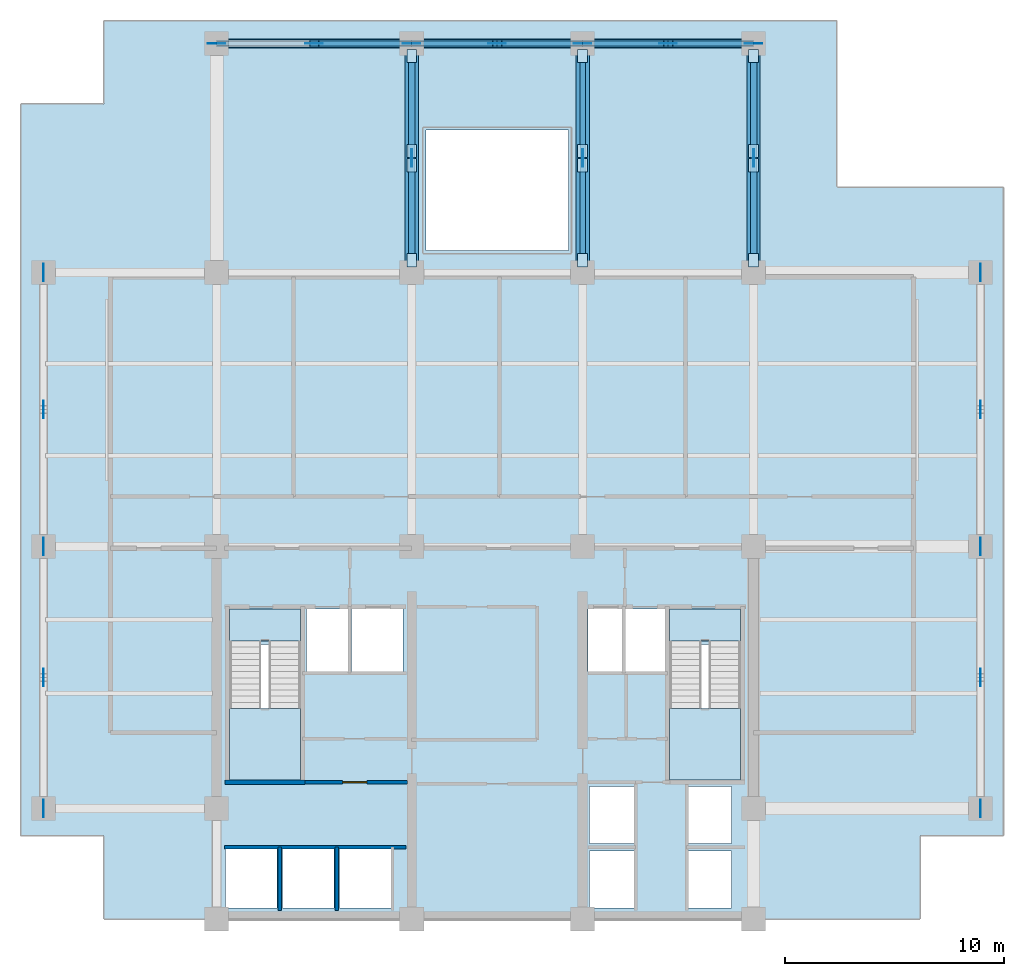
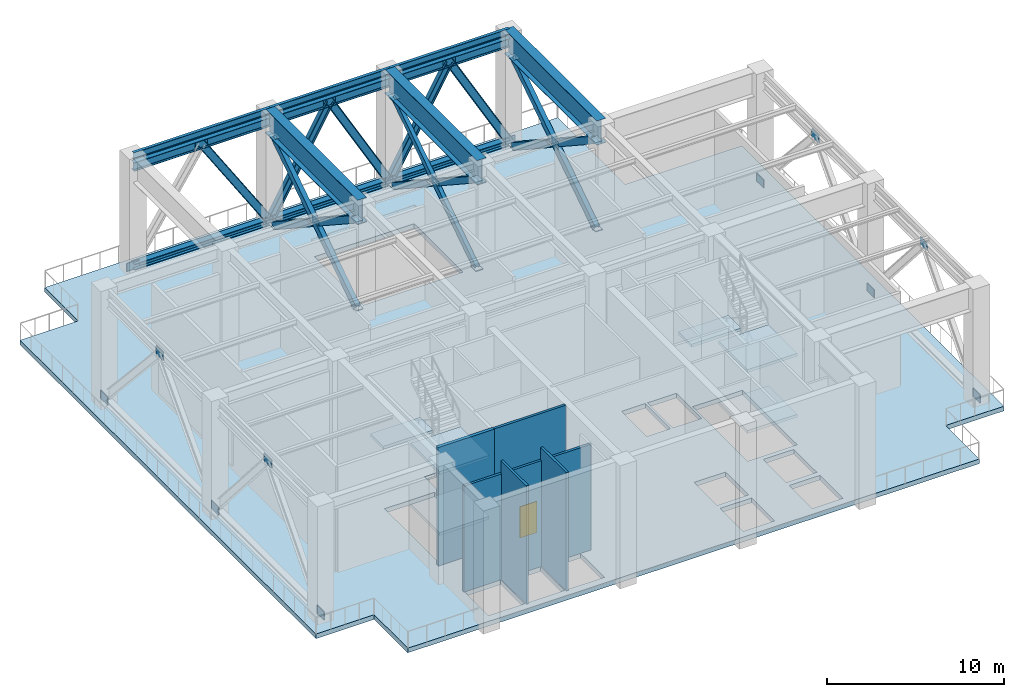
# One storey, part 2 of 7: 38 plates, 20 members, 7 slabs, 6 beams, 5 walls, 1 door, 1 opening, 2 elements without a shape of their own.
"""IFC4 building model written with IfcOpenShell, lengths in metres."""

from ifc_helpers import new_model, si_unit, direction, frame, frame_2d, origin, origin_2d, place, context, subcontext, project, spatial, polyline, rectangle, hollow_rectangle, i_section, outline, extrude, material, layer, layer_set, material_profile, profile_set, type_object, element, fill, aggregate, save


model = new_model("IFC4")

# Units and contexts
model_context = context("Model", 3, precision=1e-05, world=origin(), true_north=direction((0.0, 1.0)))
body_context = subcontext(model_context, "Body", "Model", "MODEL_VIEW")
ifc_project = project(units=[si_unit("LENGTHUNIT", "METRE"), si_unit("AREAUNIT", "SQUARE_METRE"), si_unit("VOLUMEUNIT", "CUBIC_METRE"), si_unit("PLANEANGLEUNIT", "RADIAN"), si_unit("MASSUNIT", "GRAM", prefix="KILO")], contexts=[model_context])

# Site, building, storey
site_placement = place(None, origin())
site = spatial("IfcSite", under=ifc_project, at=site_placement, CompositionType="ELEMENT")
building_placement = place(site_placement, origin())
building = spatial("IfcBuilding", under=site, at=building_placement, Name="Qalmaran Belvedere Hotel", CompositionType="ELEMENT")
storey_placement = place(building_placement, frame((0.0, 0.0, 184.10009765625)))
storey = spatial("IfcBuildingStorey", under=building, at=storey_placement, Name="L47", CompositionType="ELEMENT", Elevation=184.10009765625)

# Beams
ifc_material_1 = material(Name="Steel S355JR", Category="steel")
ifc_material_profile_1 = material_profile(ifc_material_1, i_section(OverallWidth=0.19189453125, OverallDepth=0.462890625, WebThickness=0.010498046875, FlangeThickness=0.017578125, FilletRadius=0.01611328125, at=origin_2d()), Name="W460X89")
ifc_profile_set_1 = profile_set([ifc_material_profile_1], Name="Steel S355JR")
beam_type_1 = type_object("IfcBeamType", Name="BM-SP2-W460X89", PredefinedType="SPANDREL", material=ifc_profile_set_1)
beam_placement = place(storey_placement, frame((20.300048828125, 43.449951171875, 7.928466796875), z_axis=(1.0, 0.0, 0.0), x_axis=(0.0, 1.0, 0.0)))
element("IfcBeam", 1, at=beam_placement, inside=storey, type_object=beam_type_1, Name="L47 Perimeter Spandrel 05", PredefinedType="SPANDREL", context=body_context, shape_type="SweptSolid", body=[
    extrude(i_section(OverallWidth=0.19189453125, OverallDepth=0.462890625, WebThickness=0.010498046875, FlangeThickness=0.017578125, FilletRadius=0.01611328125, at=origin_2d()), origin(), (0.0, 0.0, 1.0), 8.89990234375),
])
for number, where, z_axis, x_axis, name in (
    (2, (29.199951171875, 43.449951171875, 7.928466796875), (1.0, 0.0, 0.0), (0.0, 1.0, 0.0), "L47 Perimeter Spandrel 06"),
    (3, (37.0, 43.449951171875, 7.928466796875), (1.0, 0.0, 0.0), (0.0, 1.0, 0.0), "L47 Perimeter Spandrel 07"),
):
    element("IfcBeam", number, at=place(storey_placement, frame(where, z_axis=z_axis, x_axis=x_axis)), inside=storey, type_object=beam_type_1, Name=name, PredefinedType="SPANDREL", context=body_context, shape_type="SweptSolid", body=[
        extrude(i_section(OverallWidth=0.19189453125, OverallDepth=0.462890625, WebThickness=0.010498046875, FlangeThickness=0.017578125, FilletRadius=0.01611328125, at=origin_2d()), origin(), (0.0, 0.0, 1.0), 7.800048828125),
    ])
ifc_material_profile_2 = material_profile(ifc_material_1, i_section(OverallWidth=0.60009765625, OverallDepth=1.679931640625, WebThickness=0.02587890625, FlangeThickness=0.035888671875, at=origin_2d()), Name="PG1680X600X36")
ifc_profile_set_2 = profile_set([ifc_material_profile_2], Name="Steel S355JR")
beam_type_2 = type_object("IfcBeamType", Name="BM-TG5-PG1680X600", PredefinedType="USERDEFINED", material=ifc_profile_set_2)
for number, where, z_axis, x_axis, name in (
    (4, (29.199951171875, 33.0, 7.31982421875), (0.0, 1.0, 0.0), (-1.0, 0.0, 0.0), "L47 North Bay Setback Transfer Girder 17"),
    (5, (37.0, 33.0, 7.31982421875), (0.0, 1.0, 0.0), (-1.0, 0.0, 0.0), "L47 North Bay Setback Transfer Girder 19"),
    (6, (44.800048828125, 33.0, 7.31982421875), (0.0, 1.0, 0.0), (-1.0, 0.0, 0.0), "L47 North Bay Setback Transfer Girder 21"),
):
    element("IfcBeam", number, at=place(storey_placement, frame(where, z_axis=z_axis, x_axis=x_axis)), inside=storey, type_object=beam_type_2, Name=name, ObjectType="GIRDER", PredefinedType="USERDEFINED", context=body_context, shape_type="SweptSolid", body=[
        extrude(i_section(OverallWidth=0.60009765625, OverallDepth=1.679931640625, WebThickness=0.02587890625, FlangeThickness=0.035888671875, at=origin_2d()), origin(), (0.0, 0.0, 1.0), 10.449951171875),
    ])

# Members
ifc_material_profile_3 = material_profile(ifc_material_1, i_section(OverallWidth=0.300048828125, OverallDepth=0.5, WebThickness=0.014404296875, FlangeThickness=0.028076171875, FilletRadius=0.027099609375, at=origin_2d()), Name="HEB500")
ifc_profile_set_3 = profile_set([ifc_material_profile_3], Name="Steel S355JR")
member_type_1 = type_object("IfcMemberType", Name="MEM-BR3-HEB500", PredefinedType="BRACE", material=ifc_profile_set_3)
member_1_placement = place(storey_placement, frame((29.199951171875, 43.449951171875, 0.349853515625), z_axis=(-0.544204168445, 0.0, 0.838952813361), x_axis=(0.0, -1.0, 0.0)))
element("IfcMember", 7, at=member_1_placement, inside=storey, type_object=member_type_1, Name="L47 Belt Truss Diagonal 05B", PredefinedType="BRACE", context=body_context, shape_type="SweptSolid", body=[
    extrude(i_section(OverallWidth=0.300048828125, OverallDepth=0.5, WebThickness=0.014404296875, FlangeThickness=0.028076171875, FilletRadius=0.027099609375, at=origin_2d()), origin(), (0.0, 0.0, 1.0), 8.177001953125),
])
member_2_placement = place(storey_placement, frame((29.199951171875, 43.449951171875, 0.349853515625), z_axis=(0.494235295454, 0.0, 0.869328173205), x_axis=(0.0, 1.0, 0.0)))
element("IfcMember", 8, at=member_2_placement, inside=storey, type_object=member_type_1, Name="L47 Belt Truss Diagonal 06A", PredefinedType="BRACE", context=body_context, shape_type="SweptSolid", body=[
    extrude(i_section(OverallWidth=0.300048828125, OverallDepth=0.5, WebThickness=0.014404296875, FlangeThickness=0.028076171875, FilletRadius=0.027099609375, at=origin_2d()), origin(), (0.0, 0.0, 1.0), 7.891357421875),
])
for number, where, z_axis, x_axis, name in (
    (9, (37.0, 43.449951171875, 0.349853515625), (-0.494211914062, 0.0, 0.869341465708), (0.0, -1.0, 0.0), "L47 Belt Truss Diagonal 06B"),
    (10, (37.0, 43.449951171875, 0.349853515625), (0.494211914062, 0.0, 0.869341465708), (0.0, 1.0, 0.0), "L47 Belt Truss Diagonal 07A"),
):
    element("IfcMember", number, at=place(storey_placement, frame(where, z_axis=z_axis, x_axis=x_axis)), inside=storey, type_object=member_type_1, Name=name, PredefinedType="BRACE", context=body_context, shape_type="SweptSolid", body=[
        extrude(i_section(OverallWidth=0.300048828125, OverallDepth=0.5, WebThickness=0.014404296875, FlangeThickness=0.028076171875, FilletRadius=0.027099609375, at=origin_2d()), origin(), (0.0, 0.0, 1.0), 7.89111328125),
    ])
member_3_placement = place(storey_placement, frame((44.800048828125, 43.449951171875, 0.349853515625), z_axis=(-0.494235295454, 0.0, 0.869328173205), x_axis=(0.0, -1.0, 0.0)))
element("IfcMember", 11, at=member_3_placement, inside=storey, type_object=member_type_1, Name="L47 Belt Truss Diagonal 07B", PredefinedType="BRACE", context=body_context, shape_type="SweptSolid", body=[
    extrude(i_section(OverallWidth=0.300048828125, OverallDepth=0.5, WebThickness=0.014404296875, FlangeThickness=0.028076171875, FilletRadius=0.027099609375, at=origin_2d()), origin(), (0.0, 0.0, 1.0), 7.891357421875),
])
ifc_material_profile_4 = material_profile(ifc_material_1, hollow_rectangle(XDim=0.300048828125, YDim=0.449951171875, WallThickness=0.02001953125, at=origin_2d()), Name="RHS450X300X20")
ifc_profile_set_4 = profile_set([ifc_material_profile_4], Name="Steel S355JR")
member_type_2 = type_object("IfcMemberType", Name="MEM-BR4-RHS450", PredefinedType="BRACE", material=ifc_profile_set_4)
member_4_placement = place(storey_placement, frame((29.199951171875, 33.56494140625, 0.349853515625), z_axis=(0.0, 0.836302496095, 0.548268305691), x_axis=(-1.0, 0.0, 0.0)))
element("IfcMember", 12, at=member_4_placement, inside=storey, type_object=member_type_2, Name="L47 Wind-Slot Portal Outrigger Brace W1", PredefinedType="BRACE", context=body_context, shape_type="SweptSolid", body=[
    extrude(hollow_rectangle(XDim=0.300048828125, YDim=0.449951171875, WallThickness=0.02001953125, at=origin_2d()), origin(), (0.0, 0.0, 1.0), 11.144287109375),
])
for number, where, z_axis, x_axis, name in (
    (13, (29.199951171875, 42.885009765625, 0.349853515625), (0.0, -0.836287572314, 0.548291069044), (1.0, 0.0, 0.0), "L47 Wind-Slot Portal Outrigger Split Brace W2A"),
    (14, (29.199951171875, 37.898681640625, 3.61865234375), (0.0, -0.836287572314, 0.548291069044), (1.0, 0.0, 0.0), "L47 Wind-Slot Portal Outrigger Split Brace W2B"),
):
    element("IfcMember", number, at=place(storey_placement, frame(where, z_axis=z_axis, x_axis=x_axis)), inside=storey, type_object=member_type_2, Name=name, PredefinedType="BRACE", context=body_context, shape_type="SweptSolid", body=[
        extrude(hollow_rectangle(XDim=0.300048828125, YDim=0.449951171875, WallThickness=0.02001953125, at=origin_2d()), origin(), (0.0, 0.0, 1.0), 5.18212890625),
    ])
member_5_placement = place(storey_placement, frame((44.800048828125, 33.56494140625, 0.349853515625), z_axis=(0.0, 0.836302496095, 0.548268305691), x_axis=(-1.0, 0.0, 0.0)))
element("IfcMember", 15, at=member_5_placement, inside=storey, type_object=member_type_2, Name="L47 Wind-Slot Portal Outrigger Brace E1", PredefinedType="BRACE", context=body_context, shape_type="SweptSolid", body=[
    extrude(hollow_rectangle(XDim=0.300048828125, YDim=0.449951171875, WallThickness=0.02001953125, at=origin_2d()), origin(), (0.0, 0.0, 1.0), 11.144287109375),
])
for number, where, z_axis, x_axis, name in (
    (16, (44.800048828125, 42.885009765625, 0.349853515625), (0.0, -0.836287572314, 0.548291069044), (1.0, 0.0, 0.0), "L47 Wind-Slot Portal Outrigger Split Brace E2A"),
    (17, (44.800048828125, 37.898681640625, 3.61865234375), (0.0, -0.836287572314, 0.548291069044), (1.0, 0.0, 0.0), "L47 Wind-Slot Portal Outrigger Split Brace E2B"),
):
    element("IfcMember", number, at=place(storey_placement, frame(where, z_axis=z_axis, x_axis=x_axis)), inside=storey, type_object=member_type_2, Name=name, PredefinedType="BRACE", context=body_context, shape_type="SweptSolid", body=[
        extrude(hollow_rectangle(XDim=0.300048828125, YDim=0.449951171875, WallThickness=0.02001953125, at=origin_2d()), origin(), (0.0, 0.0, 1.0), 5.18212890625),
    ])
ifc_material_profile_5 = material_profile(ifc_material_1, hollow_rectangle(XDim=0.25, YDim=0.39990234375, WallThickness=0.01611328125, at=origin_2d()), Name="RHS400X250X16")
ifc_profile_set_5 = profile_set([ifc_material_profile_5], Name="Steel S355JR")
member_type_3 = type_object("IfcMemberType", Name="MEM-BR5-RHS400", PredefinedType="BRACE", material=ifc_profile_set_5)
member_6_placement = place(storey_placement, frame((37.0, 33.56494140625, 0.349853515625), z_axis=(0.0, 0.836302496095, 0.548268305691), x_axis=(-1.0, 0.0, 0.0)))
element("IfcMember", 18, at=member_6_placement, inside=storey, type_object=member_type_3, Name="L47 Wind-Slot Portal Outrigger Brace M1", PredefinedType="BRACE", context=body_context, shape_type="SweptSolid", body=[
    extrude(hollow_rectangle(XDim=0.25, YDim=0.39990234375, WallThickness=0.01611328125, at=origin_2d()), origin(), (0.0, 0.0, 1.0), 11.144287109375),
])
for number, where, z_axis, x_axis, name in (
    (19, (37.0, 42.885009765625, 0.349853515625), (0.0, -0.836287572314, 0.548291069044), (1.0, 0.0, 0.0), "L47 Wind-Slot Portal Outrigger Split Brace M2A"),
    (20, (37.0, 37.898681640625, 3.61865234375), (0.0, -0.836287572314, 0.548291069044), (1.0, 0.0, 0.0), "L47 Wind-Slot Portal Outrigger Split Brace M2B"),
):
    element("IfcMember", number, at=place(storey_placement, frame(where, z_axis=z_axis, x_axis=x_axis)), inside=storey, type_object=member_type_3, Name=name, PredefinedType="BRACE", context=body_context, shape_type="SweptSolid", body=[
        extrude(hollow_rectangle(XDim=0.25, YDim=0.39990234375, WallThickness=0.01611328125, at=origin_2d()), origin(), (0.0, 0.0, 1.0), 5.18212890625),
    ])
ifc_material_profile_6 = material_profile(ifc_material_1, i_section(OverallWidth=0.40087890625, OverallDepth=0.39892578125, WebThickness=0.02490234375, FlangeThickness=0.03955078125, FilletRadius=0.014892578125, at=origin_2d()), Name="HD400X314")
ifc_profile_set_6 = profile_set([ifc_material_profile_6], Name="Steel S355JR")
member_type_4 = type_object("IfcMemberType", Name="MEM-CH1-HD400X314", PredefinedType="CHORD", material=ifc_profile_set_6)
member_7_placement = place(storey_placement, frame((20.300048828125, 43.449951171875, 0.349853515625), z_axis=(1.0, 0.0, 0.0), x_axis=(0.0, 1.0, 0.0)))
element("IfcMember", 21, at=member_7_placement, inside=storey, type_object=member_type_4, Name="L47 Belt Truss Bottom Chord 05", PredefinedType="CHORD", context=body_context, shape_type="SweptSolid", body=[
    extrude(i_section(OverallWidth=0.40087890625, OverallDepth=0.39892578125, WebThickness=0.02490234375, FlangeThickness=0.03955078125, FilletRadius=0.014892578125, at=origin_2d()), origin(), (0.0, 0.0, 1.0), 8.89990234375),
])
for number, where, z_axis, x_axis, name in (
    (22, (29.199951171875, 43.449951171875, 0.349853515625), (1.0, 0.0, 0.0), (0.0, 1.0, 0.0), "L47 Belt Truss Bottom Chord 06"),
    (23, (37.0, 43.449951171875, 0.349853515625), (1.0, 0.0, 0.0), (0.0, 1.0, 0.0), "L47 Belt Truss Bottom Chord 07"),
):
    element("IfcMember", number, at=place(storey_placement, frame(where, z_axis=z_axis, x_axis=x_axis)), inside=storey, type_object=member_type_4, Name=name, PredefinedType="CHORD", context=body_context, shape_type="SweptSolid", body=[
        extrude(i_section(OverallWidth=0.40087890625, OverallDepth=0.39892578125, WebThickness=0.02490234375, FlangeThickness=0.03955078125, FilletRadius=0.014892578125, at=origin_2d()), origin(), (0.0, 0.0, 1.0), 7.800048828125),
    ])
ifc_material_profile_7 = material_profile(ifc_material_1, i_section(OverallWidth=0.300048828125, OverallDepth=0.60009765625, WebThickness=0.015380859375, FlangeThickness=0.028076171875, FilletRadius=0.027099609375, at=origin_2d()), Name="HEB600")
ifc_profile_set_7 = profile_set([ifc_material_profile_7], Name="Steel S355JR")
member_type_5 = type_object("IfcMemberType", Name="MEM-CH2-HEB600", PredefinedType="CHORD", material=ifc_profile_set_7)
member_8_placement = place(storey_placement, frame((20.300048828125, 43.449951171875, 7.2099609375), z_axis=(1.0, 0.0, 0.0), x_axis=(0.0, 1.0, 0.0)))
element("IfcMember", 24, at=member_8_placement, inside=storey, type_object=member_type_5, Name="L47 Belt Truss Top Chord 05", PredefinedType="CHORD", context=body_context, shape_type="SweptSolid", body=[
    extrude(i_section(OverallWidth=0.300048828125, OverallDepth=0.60009765625, WebThickness=0.015380859375, FlangeThickness=0.028076171875, FilletRadius=0.027099609375, at=origin_2d()), origin(), (0.0, 0.0, 1.0), 8.89990234375),
])
for number, where, z_axis, x_axis, name in (
    (25, (29.199951171875, 43.449951171875, 7.2099609375), (1.0, 0.0, 0.0), (0.0, 1.0, 0.0), "L47 Belt Truss Top Chord 06"),
    (26, (37.0, 43.449951171875, 7.2099609375), (1.0, 0.0, 0.0), (0.0, 1.0, 0.0), "L47 Belt Truss Top Chord 07"),
):
    element("IfcMember", number, at=place(storey_placement, frame(where, z_axis=z_axis, x_axis=x_axis)), inside=storey, type_object=member_type_5, Name=name, PredefinedType="CHORD", context=body_context, shape_type="SweptSolid", body=[
        extrude(i_section(OverallWidth=0.300048828125, OverallDepth=0.60009765625, WebThickness=0.015380859375, FlangeThickness=0.028076171875, FilletRadius=0.027099609375, at=origin_2d()), origin(), (0.0, 0.0, 1.0), 7.800048828125),
    ])

# Plates
ifc_layer_1 = layer(ifc_material_1, 0.030029296875, Name="Steel S355JR")
ifc_layer_set_1 = layer_set([ifc_layer_1], Name="Steel S355JR")
plate_type_1 = type_object("IfcPlateType", Name="PLT-CAP1-600X450X30", PredefinedType="SHEET", material=ifc_layer_set_1)
for number, where, z_axis, x_axis, name in (
    (27, (29.199951171875, 33.56494140625, 0.3349609375), (0.0, 0.0, 1.0), (0.0, 1.0, 0.0), "L47 Hollow End Cap Plate 0049A"),
    (28, (29.199951171875, 42.885009765625, 6.44482421875), (0.0, 0.0, 1.0), (0.0, 1.0, 0.0), "L47 Hollow End Cap Plate 0050B"),
    (29, (29.199951171875, 42.885009765625, 0.3349609375), (0.0, 0.0, 1.0), (0.0, -1.0, 0.0), "L47 Hollow End Cap Plate 0051A"),
    (30, (29.199951171875, 38.55126953125, 3.17626953125), (0.0, 0.0, 1.0), (0.0, -1.0, 0.0), "L47 Hollow End Cap Plate 0052B"),
    (31, (29.199951171875, 37.898681640625, 3.603515625), (0.0, 0.0, 1.0), (0.0, -1.0, 0.0), "L47 Hollow End Cap Plate 0053A"),
    (32, (29.199951171875, 33.56494140625, 6.44482421875), (0.0, 0.0, 1.0), (0.0, -1.0, 0.0), "L47 Hollow End Cap Plate 0054B"),
    (33, (37.0, 33.56494140625, 0.3349609375), (0.0, 0.0, 1.0), (0.0, 1.0, 0.0), "L47 Hollow End Cap Plate 0055A"),
    (34, (37.0, 42.885009765625, 6.44482421875), (0.0, 0.0, 1.0), (0.0, 1.0, 0.0), "L47 Hollow End Cap Plate 0056B"),
    (35, (37.0, 42.885009765625, 0.3349609375), (0.0, 0.0, 1.0), (0.0, -1.0, 0.0), "L47 Hollow End Cap Plate 0057A"),
    (36, (37.0, 38.55126953125, 3.17626953125), (0.0, 0.0, 1.0), (0.0, -1.0, 0.0), "L47 Hollow End Cap Plate 0058B"),
    (37, (37.0, 37.898681640625, 3.603515625), (0.0, 0.0, 1.0), (0.0, -1.0, 0.0), "L47 Hollow End Cap Plate 0059A"),
    (38, (37.0, 33.56494140625, 6.44482421875), (0.0, 0.0, 1.0), (0.0, -1.0, 0.0), "L47 Hollow End Cap Plate 0060B"),
    (39, (44.800048828125, 33.56494140625, 0.3349609375), (0.0, 0.0, 1.0), (0.0, 1.0, 0.0), "L47 Hollow End Cap Plate 0061A"),
    (40, (44.800048828125, 42.885009765625, 6.44482421875), (0.0, 0.0, 1.0), (0.0, 1.0, 0.0), "L47 Hollow End Cap Plate 0062B"),
    (41, (44.800048828125, 42.885009765625, 0.3349609375), (0.0, 0.0, 1.0), (0.0, -1.0, 0.0), "L47 Hollow End Cap Plate 0063A"),
    (42, (44.800048828125, 38.55126953125, 3.17626953125), (0.0, 0.0, 1.0), (0.0, -1.0, 0.0), "L47 Hollow End Cap Plate 0064B"),
    (43, (44.800048828125, 37.898681640625, 3.603515625), (0.0, 0.0, 1.0), (0.0, -1.0, 0.0), "L47 Hollow End Cap Plate 0065A"),
    (44, (44.800048828125, 33.56494140625, 6.44482421875), (0.0, 0.0, 1.0), (0.0, -1.0, 0.0), "L47 Hollow End Cap Plate 0066B"),
):
    element("IfcPlate", number, at=place(storey_placement, frame(where, z_axis=z_axis, x_axis=x_axis)), inside=storey, type_object=plate_type_1, Name=name, PredefinedType="SHEET", context=body_context, shape_type="SweptSolid", body=[
        extrude(rectangle(XDim=0.60009765625, YDim=0.449951171875, at=origin_2d()), origin(), (0.0, 0.0, 1.0), 0.030029296875),
    ])
ifc_layer_2 = layer(ifc_material_1, 0.034912109375, Name="Steel S355JR")
ifc_layer_set_2 = layer_set([ifc_layer_2], Name="Steel S355JR")
plate_type_2 = type_object("IfcPlateType", Name="PLT-GUS1-800X550X35", PredefinedType="SHEET", material=ifc_layer_set_2)
for number, where, z_axis, x_axis, name in (
    (45, (12.39990234375, 14.52490234375, 6.93505859375), (0.0, 0.0, 1.0), (0.0, 1.0, 0.0), "L47 Belt Truss Apex Gusset Plate 01"),
    (46, (12.39990234375, 8.550048828125, 0.07470703125), (0.0, 0.0, 1.0), (0.0, 1.0, 0.0), "L47 Belt Truss Base Gusset Plate 01"),
    (47, (12.39990234375, 20.5, 0.07470703125), (0.0, 0.0, 1.0), (0.0, 1.0, 0.0), "L47 Belt Truss Base Gusset Plate 02"),
    (48, (12.39990234375, 26.75, 6.93505859375), (0.0, 0.0, 1.0), (0.0, 1.0, 0.0), "L47 Belt Truss Apex Gusset Plate 02"),
    (49, (12.39990234375, 33.0, 0.07470703125), (0.0, 0.0, 1.0), (0.0, 1.0, 0.0), "L47 Belt Truss Base Gusset Plate 03"),
    (50, (55.14990234375, 14.52490234375, 6.93505859375), (0.0, 0.0, 1.0), (0.0, 1.0, 0.0), "L47 Belt Truss Apex Gusset Plate 03"),
    (51, (55.14990234375, 8.550048828125, 0.07470703125), (0.0, 0.0, 1.0), (0.0, 1.0, 0.0), "L47 Belt Truss Base Gusset Plate 04"),
    (52, (55.14990234375, 20.5, 0.07470703125), (0.0, 0.0, 1.0), (0.0, 1.0, 0.0), "L47 Belt Truss Base Gusset Plate 05"),
    (53, (55.14990234375, 26.75, 6.93505859375), (0.0, 0.0, 1.0), (0.0, 1.0, 0.0), "L47 Belt Truss Apex Gusset Plate 04"),
    (54, (55.14990234375, 33.0, 0.07470703125), (0.0, 0.0, 1.0), (0.0, 1.0, 0.0), "L47 Belt Truss Base Gusset Plate 06"),
    (55, (24.75, 43.449951171875, 6.93505859375), (0.0, 0.0, 1.0), (1.0, 0.0, 0.0), "L47 Belt Truss Apex Gusset Plate 05"),
    (56, (20.300048828125, 43.449951171875, 0.07470703125), (0.0, 0.0, 1.0), (1.0, 0.0, 0.0), "L47 Belt Truss Base Gusset Plate 07"),
    (57, (29.199951171875, 43.449951171875, 0.07470703125), (0.0, 0.0, 1.0), (1.0, 0.0, 0.0), "L47 Belt Truss Base Gusset Plate 08"),
    (58, (33.10009765625, 43.449951171875, 6.93505859375), (0.0, 0.0, 1.0), (1.0, 0.0, 0.0), "L47 Belt Truss Apex Gusset Plate 06"),
    (59, (37.0, 43.449951171875, 0.07470703125), (0.0, 0.0, 1.0), (1.0, 0.0, 0.0), "L47 Belt Truss Base Gusset Plate 09"),
    (60, (40.89990234375, 43.449951171875, 6.93505859375), (0.0, 0.0, 1.0), (1.0, 0.0, 0.0), "L47 Belt Truss Apex Gusset Plate 07"),
    (61, (44.800048828125, 43.449951171875, 0.07470703125), (0.0, 0.0, 1.0), (1.0, 0.0, 0.0), "L47 Belt Truss Base Gusset Plate 10"),
    (62, (29.199951171875, 38.22509765625, 3.1298828125), (0.0, 0.0, 1.0), (0.0, 1.0, 0.0), "L47 Outrigger X-Crossing Gusset Plate W"),
    (63, (37.0, 38.22509765625, 3.1298828125), (0.0, 0.0, 1.0), (0.0, 1.0, 0.0), "L47 Outrigger X-Crossing Gusset Plate M"),
    (64, (44.800048828125, 38.22509765625, 3.1298828125), (0.0, 0.0, 1.0), (0.0, 1.0, 0.0), "L47 Outrigger X-Crossing Gusset Plate E"),
):
    element("IfcPlate", number, at=place(storey_placement, frame(where, z_axis=z_axis, x_axis=x_axis)), inside=storey, type_object=plate_type_2, Name=name, PredefinedType="SHEET", context=body_context, shape_type="SweptSolid", body=[
        extrude(rectangle(XDim=0.800048828125, YDim=0.034912109375, at=origin_2d()), origin(), (0.0, 0.0, 1.0), 0.550048828125),
    ])

# Slab
ifc_material_2 = material(Name="Concrete C40/50", Category="concrete")
ifc_layer_3 = layer(ifc_material_2, 0.320068359375, Name="Concrete C40/50")
ifc_layer_set_3 = layer_set([ifc_layer_3], Name="Concrete C40/50")
slab_type_1 = type_object("IfcSlabType", Name="SLB-PRT-320", PredefinedType="FLOOR", material=ifc_layer_set_3)
slab_1_placement = place(storey_placement, frame((0.0, 0.0, -0.320068359375)))
element("IfcSlab", 65, at=slab_1_placement, inside=storey, type_object=slab_type_1, Name="L47 Structural Floor Slab", PredefinedType="FLOOR", context=body_context, shape_type="SweptSolid", body=[
    extrude(outline(polyline([(15.14990234375, 3.5), (52.39990234375, 3.5), (52.39990234375, 7.300048828125), (56.199951171875, 7.300048828125), (56.199951171875, 36.89990234375), (48.60009765625, 36.89990234375), (48.60009765625, 44.5), (15.14990234375, 44.5), (15.14990234375, 40.699951171875), (11.35009765625, 40.699951171875), (11.35009765625, 7.300048828125), (15.14990234375, 7.300048828125), (15.14990234375, 3.5)]), holes=[polyline([(20.8798828125, 9.85009765625), (24.1201171875, 9.85009765625), (24.1201171875, 16.0400390625), (20.8798828125, 16.0400390625), (20.8798828125, 9.85009765625)]), polyline([(40.9599609375, 9.85009765625), (44.199951171875, 9.85009765625), (44.199951171875, 16.0400390625), (40.9599609375, 16.0400390625), (40.9599609375, 9.85009765625)]), polyline([(37.300048828125, 4.0), (39.35009765625, 4.0), (39.35009765625, 6.60009765625), (37.300048828125, 6.60009765625), (37.300048828125, 4.0)]), polyline([(37.300048828125, 6.949951171875), (39.35009765625, 6.949951171875), (39.35009765625, 9.550048828125), (37.300048828125, 9.550048828125), (37.300048828125, 6.949951171875)]), polyline([(41.800048828125, 4.0), (43.800048828125, 4.0), (43.800048828125, 6.60009765625), (41.800048828125, 6.60009765625), (41.800048828125, 4.0)]), polyline([(41.800048828125, 6.949951171875), (43.800048828125, 6.949951171875), (43.800048828125, 9.550048828125), (41.800048828125, 9.550048828125), (41.800048828125, 6.949951171875)]), polyline([(20.699951171875, 4.0), (23.050048828125, 4.0), (23.050048828125, 6.699951171875), (20.699951171875, 6.699951171875), (20.699951171875, 4.0)]), polyline([(23.300048828125, 4.0), (25.64990234375, 4.0), (25.64990234375, 6.699951171875), (23.300048828125, 6.699951171875), (23.300048828125, 4.0)]), polyline([(25.89990234375, 4.0), (28.25, 4.0), (28.25, 6.699951171875), (25.89990234375, 6.699951171875), (25.89990234375, 4.0)]), polyline([(24.39990234375, 14.800048828125), (26.300048828125, 14.800048828125), (26.300048828125, 17.64990234375), (24.39990234375, 17.64990234375), (24.39990234375, 14.800048828125)]), polyline([(38.949951171875, 14.800048828125), (40.820068359375, 14.800048828125), (40.820068359375, 17.64990234375), (38.949951171875, 17.64990234375), (38.949951171875, 14.800048828125)]), polyline([(26.449951171875, 14.800048828125), (28.800048828125, 14.800048828125), (28.800048828125, 17.64990234375), (26.449951171875, 17.64990234375), (26.449951171875, 14.800048828125)]), polyline([(37.25, 14.800048828125), (38.800048828125, 14.800048828125), (38.800048828125, 17.64990234375), (37.25, 17.64990234375), (37.25, 14.800048828125)]), polyline([(29.85009765625, 34.0), (36.35009765625, 34.0), (36.35009765625, 39.5), (29.85009765625, 39.5), (29.85009765625, 34.0)])]), origin(), (0.0, 0.0, 1.0), 0.320068359375),
])

# Stair, slabs
stair_type_1 = type_object("IfcStairType", Name="STR-ST-1-1450-R1750", PredefinedType="HALF_TURN_STAIR", material=ifc_material_2)
stair_1_placement = place(storey_placement, origin())
stair_1 = element("IfcStair", 66, at=stair_1_placement, inside=storey, type_object=stair_type_1, Name="L47 West Core Exit Stair ST-1", PredefinedType="HALF_TURN_STAIR")
ifc_layer_4 = layer(ifc_material_2, 0.199951171875, Name="Concrete C40/50")
ifc_layer_set_4 = layer_set([ifc_layer_4], Name="Concrete C40/50")
slab_type_2 = type_object("IfcSlabType", Name="SLB-STAIR-LANDING-200", PredefinedType="LANDING", material=ifc_layer_set_4)
slab_2_placement = place(storey_placement, frame((0.0, 0.0, 1.89990234375)))
slab_2 = element("IfcSlab", 67, at=slab_2_placement, type_object=slab_type_2, Name="ST-1 landing 1", PredefinedType="LANDING", context=body_context, shape_type="SweptSolid", body=[
    extrude(outline(polyline([(20.8798828125, 13.110107421875), (20.8798828125, 9.85009765625), (24.1201171875, 9.85009765625), (24.1201171875, 13.110107421875), (20.8798828125, 13.110107421875)])), origin(), (0.0, 0.0, 1.0), 0.199951171875),
])
slab_3_placement = place(storey_placement, frame((0.0, 0.0, 4.0)))
slab_3 = element("IfcSlab", 68, at=slab_3_placement, type_object=slab_type_2, Name="ST-1 landing 2", PredefinedType="LANDING", context=body_context, shape_type="SweptSolid", body=[
    extrude(outline(polyline([(20.8798828125, 17.64990234375), (20.8798828125, 16.18994140625), (24.1201171875, 16.18994140625), (24.1201171875, 17.64990234375), (20.8798828125, 17.64990234375)])), origin(), (0.0, 0.0, 1.0), 0.199951171875),
])
slab_4_placement = place(storey_placement, frame((0.0, 0.0, 6.099853515625)))
slab_4 = element("IfcSlab", 69, at=slab_4_placement, type_object=slab_type_2, Name="ST-1 landing 3", PredefinedType="LANDING", context=body_context, shape_type="SweptSolid", body=[
    extrude(outline(polyline([(20.8798828125, 13.110107421875), (20.8798828125, 9.85009765625), (24.1201171875, 9.85009765625), (24.1201171875, 13.110107421875), (20.8798828125, 13.110107421875)])), origin(), (0.0, 0.0, 1.0), 0.199951171875),
])
aggregate(stair_1, [slab_2, slab_3, slab_4])

stair_type_2 = type_object("IfcStairType", Name="STR-ST-2-1450-R1750", PredefinedType="HALF_TURN_STAIR", material=ifc_material_2)
stair_2_placement = place(storey_placement, origin())
stair_2 = element("IfcStair", 70, at=stair_2_placement, inside=storey, type_object=stair_type_2, Name="L47 East Core Exit Stair ST-2", PredefinedType="HALF_TURN_STAIR")
slab_5_placement = place(storey_placement, frame((0.0, 0.0, 1.89990234375)))
slab_5 = element("IfcSlab", 71, at=slab_5_placement, type_object=slab_type_2, Name="ST-2 landing 1", PredefinedType="LANDING", context=body_context, shape_type="SweptSolid", body=[
    extrude(outline(polyline([(40.9599609375, 13.110107421875), (40.9599609375, 9.85009765625), (44.199951171875, 9.85009765625), (44.199951171875, 13.110107421875), (40.9599609375, 13.110107421875)])), origin(), (0.0, 0.0, 1.0), 0.199951171875),
])
slab_6_placement = place(storey_placement, frame((0.0, 0.0, 4.0)))
slab_6 = element("IfcSlab", 72, at=slab_6_placement, type_object=slab_type_2, Name="ST-2 landing 2", PredefinedType="LANDING", context=body_context, shape_type="SweptSolid", body=[
    extrude(outline(polyline([(40.9599609375, 17.64990234375), (40.9599609375, 16.18994140625), (44.199951171875, 16.18994140625), (44.199951171875, 17.64990234375), (40.9599609375, 17.64990234375)])), origin(), (0.0, 0.0, 1.0), 0.199951171875),
])
slab_7_placement = place(storey_placement, frame((0.0, 0.0, 6.099853515625)))
slab_7 = element("IfcSlab", 73, at=slab_7_placement, type_object=slab_type_2, Name="ST-2 landing 3", PredefinedType="LANDING", context=body_context, shape_type="SweptSolid", body=[
    extrude(outline(polyline([(40.9599609375, 13.110107421875), (40.9599609375, 9.85009765625), (44.199951171875, 9.85009765625), (44.199951171875, 13.110107421875), (40.9599609375, 13.110107421875)])), origin(), (0.0, 0.0, 1.0), 0.199951171875),
])
aggregate(stair_2, [slab_5, slab_6, slab_7])

# Walls
ifc_material_3 = material(Name="Gypsum Stud Partition")
ifc_layer_5 = layer(ifc_material_3, 0.14990234375, Name="Gypsum Stud Partition")
ifc_layer_set_5 = layer_set([ifc_layer_5], Name="Gypsum Stud Partition")
wall_type_1 = type_object("IfcWallType", Name="WL-INT-150-EI120", PredefinedType="PARTITIONING", material=ifc_layer_set_5)
for number, where, z_axis, x_axis, name in (
    (74, (23.179931640625, 3.89990234375, 0.0), (0.0, 0.0, 1.0), (0.0, 1.0, 0.0), "L47 Partition WL-POM1-L47"),
    (75, (25.780029296875, 3.89990234375, 0.0), (0.0, 0.0, 1.0), (0.0, 1.0, 0.0), "L47 Partition WL-POM2-L47"),
):
    element("IfcWall", number, at=place(storey_placement, frame(where, z_axis=z_axis, x_axis=x_axis)), inside=storey, type_object=wall_type_1, Name=name, PredefinedType="PARTITIONING", context=body_context, shape_type="SweptSolid", body=[
        extrude(rectangle(XDim=2.880126953125, YDim=0.14990234375, at=frame_2d((1.43994140625, 0.0))), origin(), (0.0, 0.0, 1.0), 8.159912109375),
    ])
ifc_layer_6 = layer(ifc_material_3, 0.159912109375, Name="Gypsum Stud Partition")
ifc_layer_set_6 = layer_set([ifc_layer_6], Name="Gypsum Stud Partition")
wall_type_2 = type_object("IfcWallType", Name="WL-INT-160-EI120", PredefinedType="PARTITIONING", material=ifc_layer_set_6)
wall_1_placement = place(storey_placement, frame((20.64990234375, 6.780029296875, 0.0), z_axis=(0.0, 0.0, 1.0), x_axis=(1.0, 0.0, 0.0)))
element("IfcWall", 76, at=wall_1_placement, inside=storey, type_object=wall_type_2, Name="L47 Partition WL-POS-L47", PredefinedType="PARTITIONING", context=body_context, shape_type="SweptSolid", body=[
    extrude(rectangle(XDim=8.300048828125, YDim=0.159912109375, at=frame_2d((4.14990234375, 0.0))), origin(), (0.0, 0.0, 1.0), 7.289794921875),
])

# Wall, opening, door
wall_2_placement = place(storey_placement, frame((24.199951171875, 9.739990234375, 0.0), z_axis=(0.0, 0.0, 1.0), x_axis=(1.0, 0.0, 0.0)))
wall_2 = element("IfcWall", 77, at=wall_2_placement, inside=storey, type_object=wall_type_2, Name="L47 Partition WL-PON-L47", PredefinedType="PARTITIONING", context=body_context, shape_type="SweptSolid", body=[
    extrude(rectangle(XDim=4.800048828125, YDim=0.159912109375, at=frame_2d((2.39990234375, 0.0))), origin(), (0.0, 0.0, 1.0), 8.159912109375),
])
opening_placement = place(wall_2_placement, frame((1.85009765625, 0.0, 0.0)))
opening = element("IfcOpeningElement", 78, at=opening_placement, cuts=wall_2, Name="Opening FD90", PredefinedType="OPENING", context=body_context, shape_type="SweptSolid", body=[
    extrude(rectangle(XDim=1.10009765625, YDim=2.14990234375, at=frame_2d((0.550048828125, 1.074951171875))), frame((0.0, 0.08984375, 0.0), z_axis=(0.0, -1.0, 0.0), x_axis=(1.0, 0.0, 0.0)), (0.0, 0.0, 1.0), 0.179931640625),
])
door_type = type_object("IfcDoorType", Name="DR-FD90-1100X2150", OperationType="NOTDEFINED", PredefinedType="DOOR", material=ifc_material_1)
door_placement = place(opening_placement, origin())
door = element("IfcDoor", 79, at=door_placement, inside=storey, type_object=door_type, Name="L47 Shuttle Lobby Passage Door", OperationType="SINGLE_SWING_RIGHT", OverallHeight=2.14990234375, OverallWidth=1.10009765625, PredefinedType="DOOR", context=body_context, shape_type="SweptSolid", body=[
    extrude(rectangle(XDim=1.10009765625, YDim=2.14990234375, at=frame_2d((0.550048828125, 1.074951171875))), frame((0.0, 0.02490234375, 0.0), z_axis=(0.0, -1.0, 0.0), x_axis=(1.0, 0.0, 0.0)), (0.0, 0.0, 1.0), 0.050048828125),
])
fill(opening, door)

# Wall
ifc_material_4 = material(Name="Concrete C50/60", Category="concrete")
ifc_layer_7 = layer(ifc_material_4, 0.2099609375, Name="Concrete C50/60")
ifc_layer_set_7 = layer_set([ifc_layer_7], Name="Concrete C50/60")
wall_type_3 = type_object("IfcWallType", Name="WL-STAIR-210-C50", PredefinedType="SHEAR", material=ifc_layer_set_7)
wall_3_placement = place(storey_placement, frame((20.669921875, 9.7451171875, 0.0), z_axis=(0.0, 0.0, 1.0), x_axis=(1.0, 0.0, 0.0)))
element("IfcWall", 80, at=wall_3_placement, inside=storey, type_object=wall_type_3, Name="L47 Stair ST-1 South Bearing Wall", PredefinedType="SHEAR", context=body_context, shape_type="SweptSolid", body=[
    extrude(rectangle(XDim=3.66015625, YDim=0.2099609375, at=frame_2d((1.830078125, 0.0))), origin(), (0.0, 0.0, 1.0), 8.159912109375),
])

save(model, "model.ifc")
